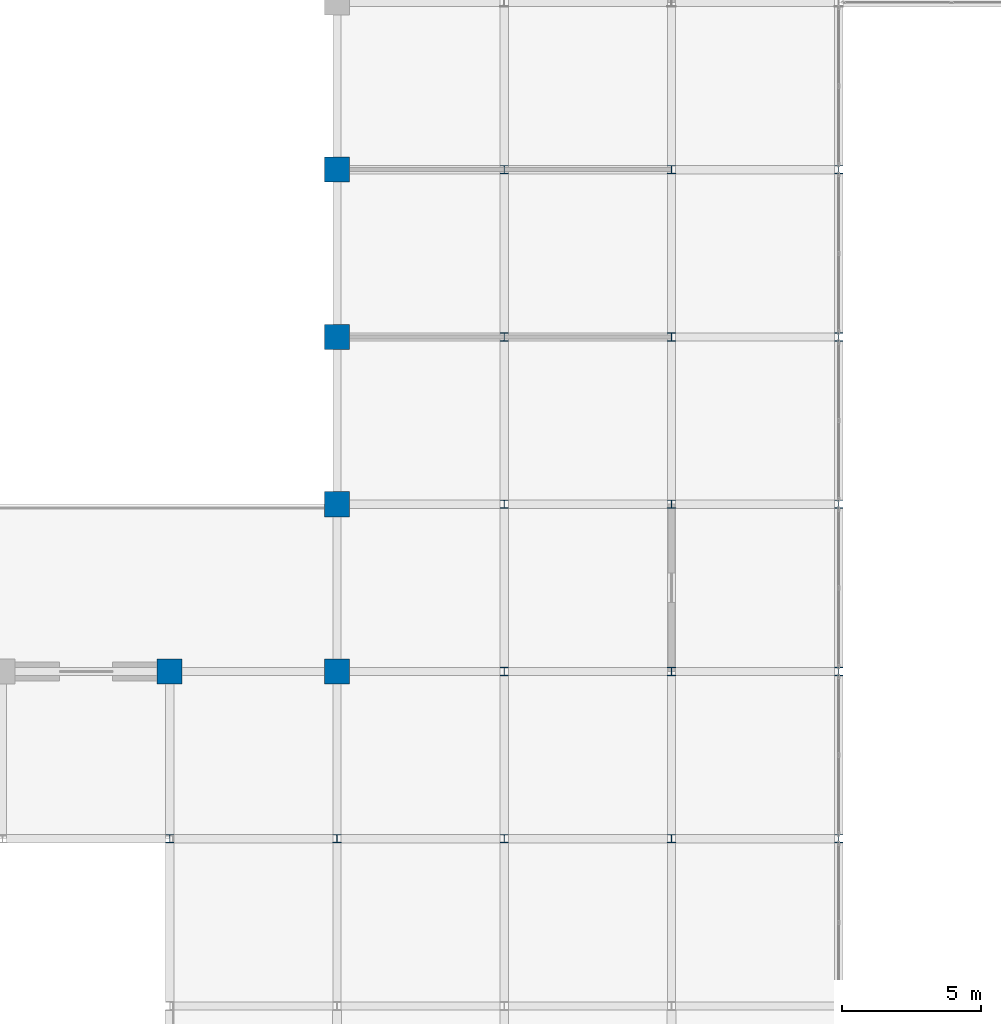
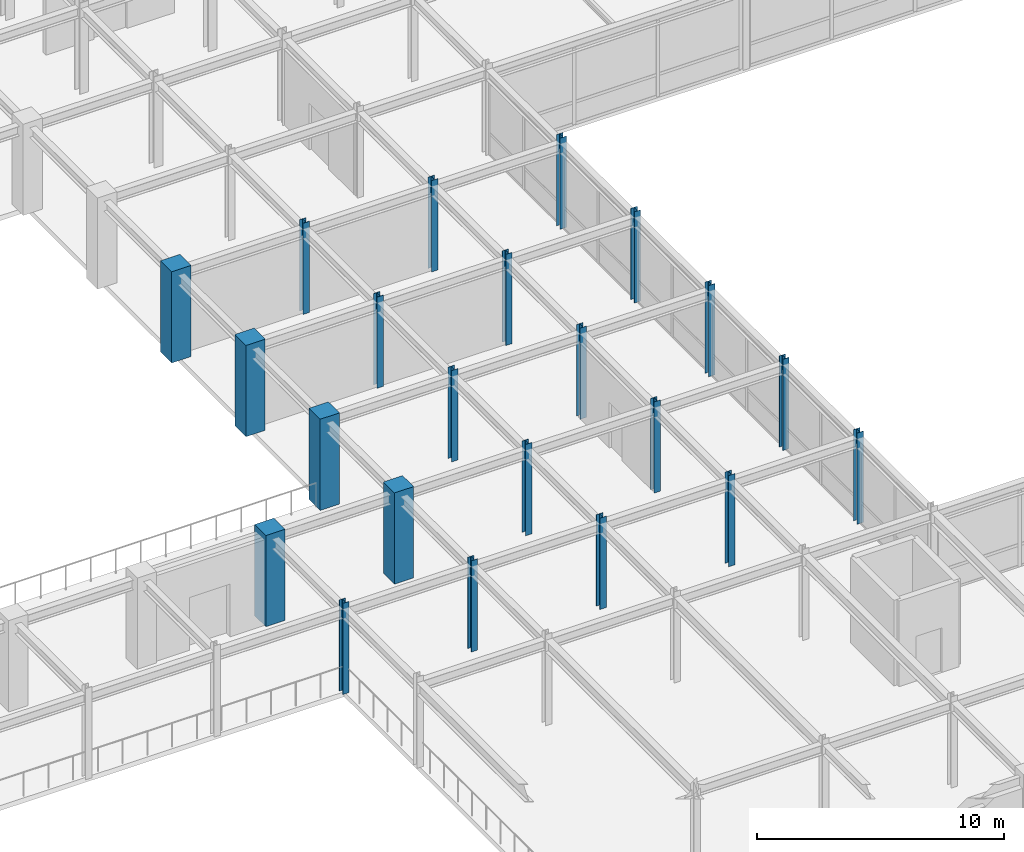
# One storey, part 9 of 108: 22 columns.
"""IFC4 building model written with IfcOpenShell, lengths in metres."""

from ifc_helpers import new_model, si_unit, direction, frame, origin, origin_2d, place, context, subcontext, project, spatial, rectangle, i_section, extrude, material, material_profile, profile_set, type_object, element, save


model = new_model("IFC4")

# Units and contexts
model_context = context("Model", 3, precision=1e-05, world=origin(), true_north=direction((0.0, 1.0)))
body_context = subcontext(model_context, "Body", "Model", "MODEL_VIEW")
ifc_project = project(units=[si_unit("LENGTHUNIT", "METRE"), si_unit("AREAUNIT", "SQUARE_METRE"), si_unit("VOLUMEUNIT", "CUBIC_METRE"), si_unit("PLANEANGLEUNIT", "RADIAN"), si_unit("MASSUNIT", "GRAM", prefix="KILO")], contexts=[model_context])

# Site, building, storey
site_placement = place(None, origin())
site = spatial("IfcSite", under=ifc_project, at=site_placement, CompositionType="ELEMENT")
building_placement = place(site_placement, origin())
building = spatial("IfcBuilding", under=site, at=building_placement, Name="Zlatovratsky Civic Hall", CompositionType="ELEMENT")
storey_placement = place(building_placement, frame((0.0, 0.0, 12.0)))
storey = spatial("IfcBuildingStorey", under=building, at=storey_placement, Name="L03", CompositionType="ELEMENT", Elevation=12.0)

# Columns
ifc_material_1 = material(Name="Concrete C35/45 (B40)", Category="concrete")
ifc_material_profile_1 = material_profile(ifc_material_1, rectangle(XDim=0.89990234375, YDim=0.89990234375, at=origin_2d()), Name="RC 900x900")
ifc_profile_set_1 = profile_set([ifc_material_profile_1], Name="Concrete C35/45 (B40)")
column_type_1 = type_object("IfcColumnType", Name="Col_ChamberPier_RC900", PredefinedType="COLUMN", material=ifc_profile_set_1)
for number, where, z_axis, x_axis, name in (
    (1, (96.0, 42.0, 0.0), (0.0, 0.0, 1.0), (1.0, 0.0, 0.0), "CL-1299"),
    (2, (102.0, 42.0, 0.0), (0.0, 0.0, 1.0), (1.0, 0.0, 0.0), "CL-1300"),
    (3, (102.0, 48.0, 0.0), (0.0, 0.0, 1.0), (1.0, 0.0, 0.0), "CL-1314"),
    (4, (102.0, 54.0, 0.0), (0.0, 0.0, 1.0), (1.0, 0.0, 0.0), "CL-1328"),
    (5, (102.0, 60.0, 0.0), (0.0, 0.0, 1.0), (1.0, 0.0, 0.0), "CL-1342"),
):
    element("IfcColumn", number, at=place(storey_placement, frame(where, z_axis=z_axis, x_axis=x_axis)), inside=storey, type_object=column_type_1, Name=name, PredefinedType="COLUMN", context=body_context, shape_type="SweptSolid", body=[
        extrude(rectangle(XDim=0.89990234375, YDim=0.89990234375, at=origin_2d()), origin(), (0.0, 0.0, 1.0), 4.5),
    ])
ifc_material_2 = material(Name="Steel S355", Category="steel")
ifc_material_profile_2 = material_profile(ifc_material_2, i_section(OverallWidth=0.299072265625, OverallDepth=0.2958984375, WebThickness=0.009033203125, FlangeThickness=0.013916015625, FilletRadius=0.01806640625, at=origin_2d()), Name="30K1")
ifc_profile_set_2 = profile_set([ifc_material_profile_2], Name="Steel S355")
column_type_2 = type_object("IfcColumnType", Name="Col_Steel_30K1", PredefinedType="COLUMN", material=ifc_profile_set_2)
for number, where, z_axis, x_axis, name in (
    (6, (96.0, 36.0, 0.0), (0.0, 0.0, 1.0), (1.0, 0.0, 0.0), "CL-1280"),
    (7, (102.0, 36.0, 0.0), (0.0, 0.0, 1.0), (1.0, 0.0, 0.0), "CL-1281"),
    (8, (108.0, 36.0, 0.0), (0.0, 0.0, 1.0), (1.0, 0.0, 0.0), "CL-1282"),
    (9, (114.0, 36.0, 0.0), (0.0, 0.0, 1.0), (1.0, 0.0, 0.0), "CL-1283"),
    (10, (120.0, 36.0, 0.0), (0.0, 0.0, 1.0), (1.0, 0.0, 0.0), "CL-1284"),
    (11, (108.0, 42.0, 0.0), (0.0, 0.0, 1.0), (1.0, 0.0, 0.0), "CL-1301"),
    (12, (114.0, 42.0, 0.0), (0.0, 0.0, 1.0), (1.0, 0.0, 0.0), "CL-1302"),
    (13, (120.0, 42.0, 0.0), (0.0, 0.0, 1.0), (1.0, 0.0, 0.0), "CL-1303"),
    (14, (108.0, 48.0, 0.0), (0.0, 0.0, 1.0), (1.0, 0.0, 0.0), "CL-1315"),
    (15, (114.0, 48.0, 0.0), (0.0, 0.0, 1.0), (1.0, 0.0, 0.0), "CL-1316"),
    (16, (120.0, 48.0, 0.0), (0.0, 0.0, 1.0), (1.0, 0.0, 0.0), "CL-1317"),
    (17, (108.0, 54.0, 0.0), (0.0, 0.0, 1.0), (1.0, 0.0, 0.0), "CL-1329"),
    (18, (114.0, 54.0, 0.0), (0.0, 0.0, 1.0), (1.0, 0.0, 0.0), "CL-1330"),
    (19, (120.0, 54.0, 0.0), (0.0, 0.0, 1.0), (1.0, 0.0, 0.0), "CL-1331"),
    (20, (108.0, 60.0, 0.0), (0.0, 0.0, 1.0), (1.0, 0.0, 0.0), "CL-1343"),
    (21, (114.0, 60.0, 0.0), (0.0, 0.0, 1.0), (1.0, 0.0, 0.0), "CL-1344"),
    (22, (120.0, 60.0, 0.0), (0.0, 0.0, 1.0), (1.0, 0.0, 0.0), "CL-1345"),
):
    element("IfcColumn", number, at=place(storey_placement, frame(where, z_axis=z_axis, x_axis=x_axis)), inside=storey, type_object=column_type_2, Name=name, PredefinedType="COLUMN", context=body_context, shape_type="SweptSolid", body=[
        extrude(i_section(OverallWidth=0.299072265625, OverallDepth=0.2958984375, WebThickness=0.009033203125, FlangeThickness=0.013916015625, FilletRadius=0.01806640625, at=origin_2d()), origin(), (0.0, 0.0, 1.0), 4.5),
    ])

save(model, "model.ifc")
